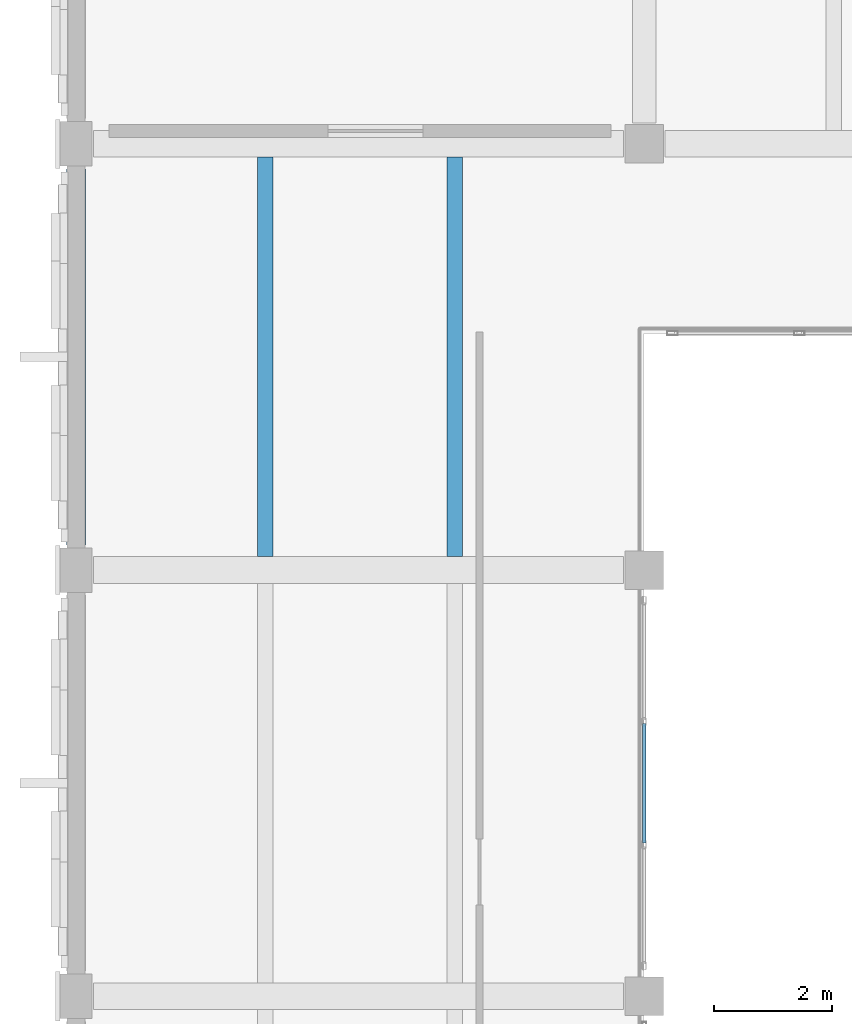
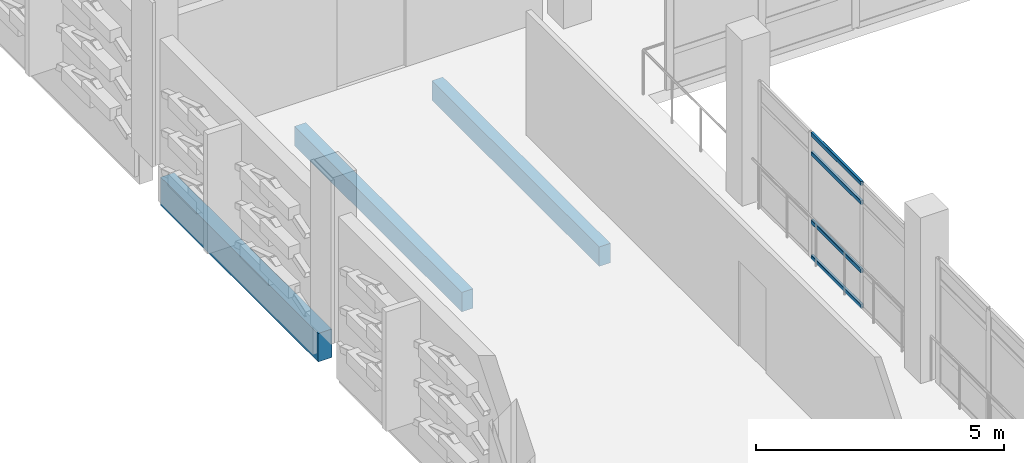
# One storey, part 23 of 72: 4 members, 3 beams, 1 element without a shape of its own.
"""IFC4 building model written with IfcOpenShell, lengths in metres."""

from ifc_helpers import new_model, si_unit, direction, frame, origin, origin_2d, place, context, subcontext, project, spatial, rectangle, hollow_rectangle, extrude, material, layer, layer_set, material_profile, profile_set, type_object, element, aggregate, save


model = new_model("IFC4")

# Units and contexts
model_context = context("Model", 3, precision=1e-05, world=origin(), true_north=direction((0.0, 1.0)))
body_context = subcontext(model_context, "Body", "Model", "MODEL_VIEW")
ifc_project = project(units=[si_unit("LENGTHUNIT", "METRE"), si_unit("AREAUNIT", "SQUARE_METRE"), si_unit("VOLUMEUNIT", "CUBIC_METRE"), si_unit("PLANEANGLEUNIT", "RADIAN"), si_unit("MASSUNIT", "GRAM", prefix="KILO")], contexts=[model_context])

# Site, building, storey
site_placement = place(None, origin())
site = spatial("IfcSite", under=ifc_project, at=site_placement, CompositionType="ELEMENT")
building_placement = place(site_placement, origin())
building = spatial("IfcBuilding", under=site, at=building_placement, Name="Asteropetra Specialist Clinic", CompositionType="ELEMENT")
storey_placement = place(building_placement, frame((0.0, 0.0, 12.580078125)))
storey = spatial("IfcBuildingStorey", under=building, at=storey_placement, Name="L03", CompositionType="ELEMENT", Elevation=12.580078125)

# Curtain wall, members
ifc_material_1 = material(Name="Aluminium and low-E glass", Category="aluminium")
ifc_layer = layer(ifc_material_1, 0.14990234375)
ifc_layer_set = layer_set([ifc_layer], Name="Aluminium and low-E glass")
curtain_wall_type = type_object("IfcCurtainWallType", Name="CW-SYS-05", PredefinedType="USERDEFINED", material=ifc_layer_set)
curtain_wall_placement = place(storey_placement, origin())
curtain_wall = element("IfcCurtainWall", 1, at=curtain_wall_placement, inside=storey, type_object=curtain_wall_type, Name="Curtain Wall CW-047", ObjectType="UNITISED CURTAIN WALL", PredefinedType="USERDEFINED")
ifc_material_2 = material(Name="Aluminium 6063-T6", Category="aluminium")
ifc_material_profile_1 = material_profile(ifc_material_2, hollow_rectangle(XDim=0.06005859375, YDim=0.10009765625, WallThickness=0.00341796875, InnerFilletRadius=0.00341796875, OuterFilletRadius=0.007080078125, at=origin_2d()), Name="TRN 100x60x3.5")
ifc_profile_set_1 = profile_set([ifc_material_profile_1], Name="Aluminium 6063-T6")
member_type = type_object("IfcMemberType", Name="CWT-100x60", PredefinedType="USERDEFINED", material=ifc_profile_set_1)
member_1_placement = place(storey_placement, frame((9.60009765625, 88.6083984375, 0.030029296875), z_axis=(0.0, -1.0, 0.0), x_axis=(1.0, 0.0, 0.0)))
member_1 = element("IfcMember", 2, at=member_1_placement, type_object=member_type, Name="CW-047 transom 2.1", ObjectType="TRANSOM", PredefinedType="USERDEFINED", context=body_context, shape_type="SweptSolid", body=[
    extrude(hollow_rectangle(XDim=0.06005859375, YDim=0.10009765625, WallThickness=0.00341796875, InnerFilletRadius=0.00341796875, OuterFilletRadius=0.007080078125, at=origin_2d()), origin(), (0.0, 0.0, 1.0), 2.016845703125),
])
member_2_placement = place(storey_placement, frame((9.60009765625, 88.6083984375, 0.89990234375), z_axis=(0.0, -1.0, 0.0), x_axis=(1.0, 0.0, 0.0)))
member_2 = element("IfcMember", 3, at=member_2_placement, type_object=member_type, Name="CW-047 transom 2.2", ObjectType="TRANSOM", PredefinedType="USERDEFINED", context=body_context, shape_type="SweptSolid", body=[
    extrude(hollow_rectangle(XDim=0.06005859375, YDim=0.10009765625, WallThickness=0.00341796875, InnerFilletRadius=0.00341796875, OuterFilletRadius=0.007080078125, at=origin_2d()), origin(), (0.0, 0.0, 1.0), 2.016845703125),
])
member_3_placement = place(storey_placement, frame((9.60009765625, 88.6083984375, 2.579833984375), z_axis=(0.0, -1.0, 0.0), x_axis=(1.0, 0.0, 0.0)))
member_3 = element("IfcMember", 4, at=member_3_placement, type_object=member_type, Name="CW-047 transom 2.3", ObjectType="TRANSOM", PredefinedType="USERDEFINED", context=body_context, shape_type="SweptSolid", body=[
    extrude(hollow_rectangle(XDim=0.06005859375, YDim=0.10009765625, WallThickness=0.00341796875, InnerFilletRadius=0.00341796875, OuterFilletRadius=0.007080078125, at=origin_2d()), origin(), (0.0, 0.0, 1.0), 2.016845703125),
])
member_4_placement = place(storey_placement, frame((9.60009765625, 88.6083984375, 3.0498046875), z_axis=(0.0, -1.0, 0.0), x_axis=(1.0, 0.0, 0.0)))
member_4 = element("IfcMember", 5, at=member_4_placement, type_object=member_type, Name="CW-047 transom 2.4", ObjectType="TRANSOM", PredefinedType="USERDEFINED", context=body_context, shape_type="SweptSolid", body=[
    extrude(hollow_rectangle(XDim=0.06005859375, YDim=0.10009765625, WallThickness=0.00341796875, InnerFilletRadius=0.00341796875, OuterFilletRadius=0.007080078125, at=origin_2d()), origin(), (0.0, 0.0, 1.0), 2.016845703125),
])
aggregate(curtain_wall, [member_1, member_2, member_3, member_4])

# Beams
ifc_material_3 = material(Name="Concrete C35/45", Category="concrete")
ifc_material_profile_2 = material_profile(ifc_material_3, rectangle(XDim=0.260009765625, YDim=0.47998046875, at=origin_2d()), Name="RCJ 260x480")
ifc_profile_set_2 = profile_set([ifc_material_profile_2], Name="Concrete C35/45")
beam_type_1 = type_object("IfcBeamType", Name="JST-RC260x480", PredefinedType="JOIST", material=ifc_profile_set_2)
for number, where, z_axis, x_axis, name in (
    (6, (3.199951171875, 91.425048828125, -0.52001953125), (0.0, 1.0, 0.0), (-1.0, 0.0, 0.0), "Joist JJST02-1627"),
    (7, (6.39990234375, 91.425048828125, -0.52001953125), (0.0, 1.0, 0.0), (-1.0, 0.0, 0.0), "Joist JJST02-1628"),
):
    element("IfcBeam", number, at=place(storey_placement, frame(where, z_axis=z_axis, x_axis=x_axis)), inside=storey, type_object=beam_type_1, Name=name, PredefinedType="JOIST", context=body_context, shape_type="SweptSolid", body=[
        extrude(rectangle(XDim=0.260009765625, YDim=0.47998046875, at=origin_2d()), origin(), (0.0, 0.0, 1.0), 6.75),
    ])
ifc_material_4 = material(Name="Concrete C35/45", Category="concrete")
ifc_material_profile_3 = material_profile(ifc_material_4, rectangle(XDim=0.320068359375, YDim=0.699951171875, at=origin_2d()), Name="RCS 320x700")
ifc_profile_set_3 = profile_set([ifc_material_profile_3], Name="Concrete C35/45")
beam_type_2 = type_object("IfcBeamType", Name="SPN-RC320x700", PredefinedType="SPANDREL", material=ifc_profile_set_3)
beam_placement = place(storey_placement, frame((0.0, 91.625, -0.630126953125), z_axis=(0.0, 1.0, 0.0), x_axis=(-1.0, 0.0, 0.0)))
element("IfcBeam", 8, at=beam_placement, inside=storey, type_object=beam_type_2, Name="Beam BSPN02-1624", PredefinedType="SPANDREL", context=body_context, shape_type="SweptSolid", body=[
    extrude(rectangle(XDim=0.320068359375, YDim=0.699951171875, at=origin_2d()), origin(), (0.0, 0.0, 1.0), 6.35009765625),
])

save(model, "model.ifc")
